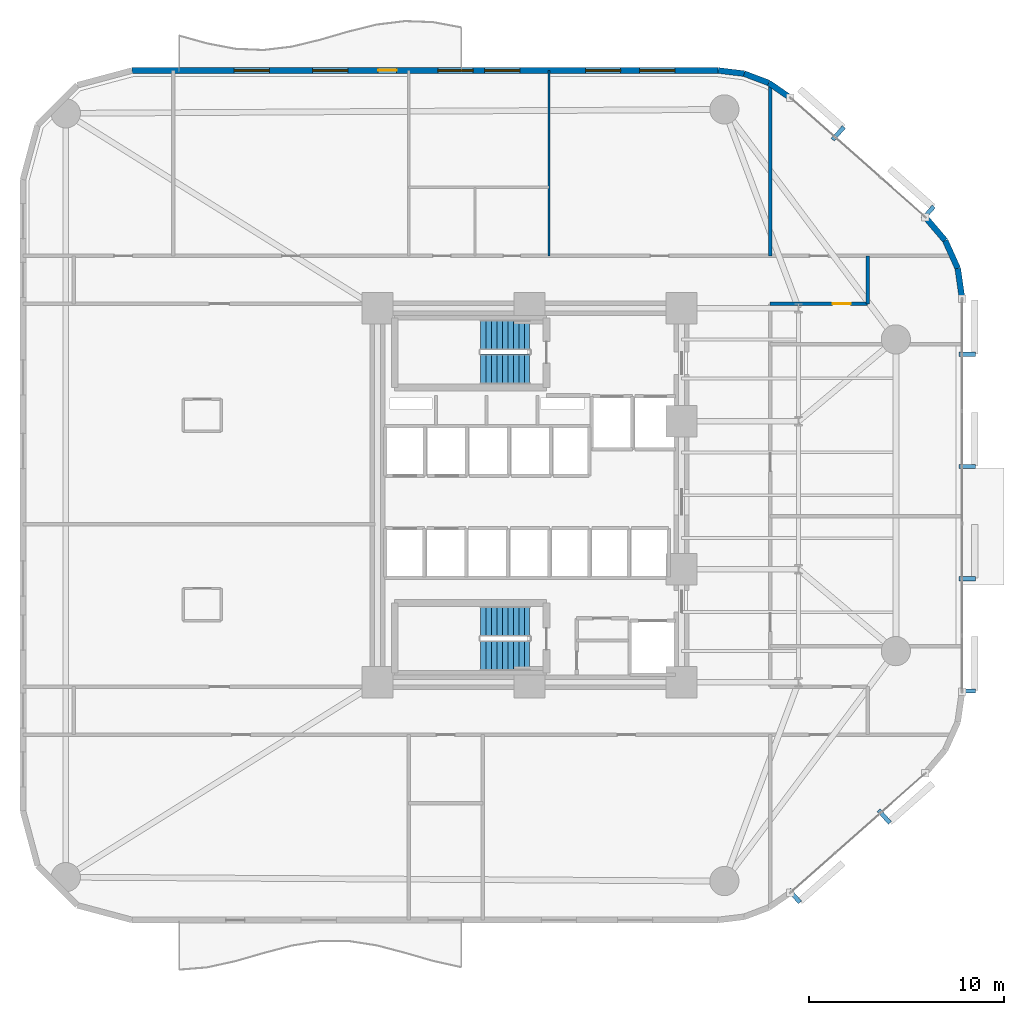
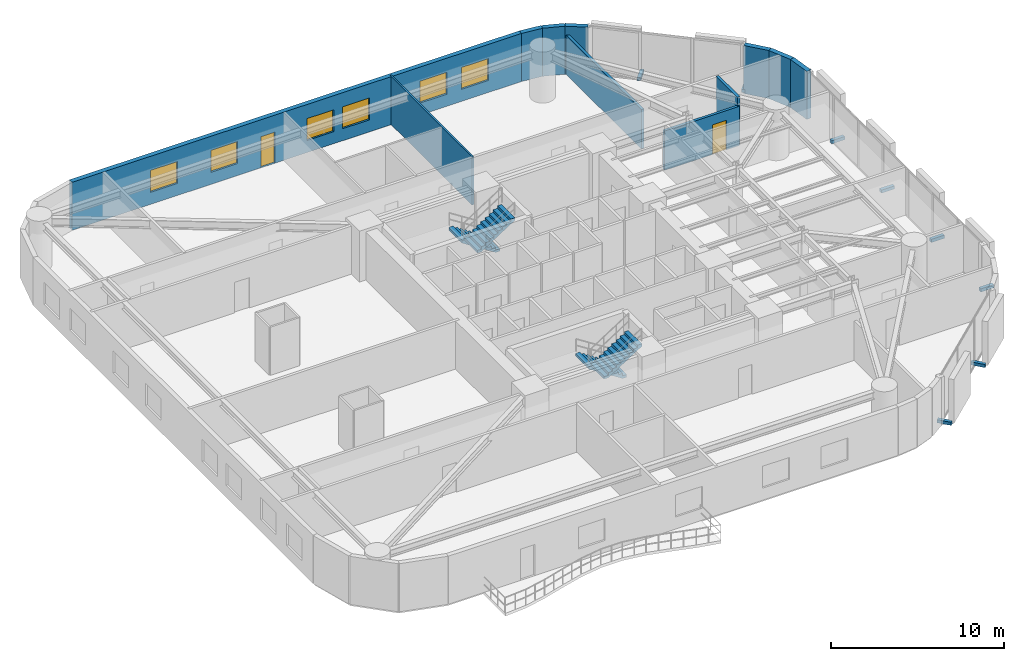
# One storey, part 13 of 16: 11 walls, 8 discrete accessories, 6 windows, 4 stair flights, 2 doors, 8 openings, 2 elements without a shape of their own.
"""IFC4 building model written with IfcOpenShell, lengths in metres."""

from ifc_helpers import new_model, si_unit, direction, frame, frame_2d, origin, origin_2d, place, context, subcontext, project, spatial, polyline, rectangle, outline, extrude, material, layer, layer_set, type_object, element, fill, aggregate, save


model = new_model("IFC4")

# Units and contexts
model_context = context("Model", 3, precision=1e-05, world=origin(), true_north=direction((0.0, 1.0)))
body_context = subcontext(model_context, "Body", "Model", "MODEL_VIEW")
ifc_project = project(units=[si_unit("LENGTHUNIT", "METRE"), si_unit("AREAUNIT", "SQUARE_METRE"), si_unit("VOLUMEUNIT", "CUBIC_METRE"), si_unit("PLANEANGLEUNIT", "RADIAN"), si_unit("MASSUNIT", "GRAM", prefix="KILO")], contexts=[model_context])

# Site, building, storey
site_placement = place(None, origin())
site = spatial("IfcSite", under=ifc_project, at=site_placement, CompositionType="ELEMENT")
building_placement = place(site_placement, origin())
building = spatial("IfcBuilding", under=site, at=building_placement, Name="An Khanh Terracotta Commons", CompositionType="ELEMENT")
storey_placement = place(building_placement, frame((0.0, 0.0, 39.60009765625)))
storey = spatial("IfcBuildingStorey", under=building, at=storey_placement, Name="L10", CompositionType="ELEMENT", Elevation=39.60009765625)

# Wall, opening, door
ifc_material_1 = material(Name="Fire-Rated Gypsum Board on Steel Stud", Category="steel")
ifc_layer_1 = layer(ifc_material_1, 0.179931640625, Name="Fire-Rated Gypsum Board on Steel Stud")
ifc_layer_set_1 = layer_set([ifc_layer_1], Name="Fire-Rated Gypsum Board on Steel Stud")
wall_type_1 = type_object("IfcWallType", Name="WALL-CORR-180", PredefinedType="PARTITIONING", material=ifc_layer_set_1)
wall_1_placement = place(storey_placement, frame((41.75, 33.820068359375, 0.0), z_axis=(0.0, 0.0, 1.0), x_axis=(1.0, 0.0, 0.0)))
wall_1 = element("IfcWall", 1, at=wall_1_placement, inside=storey, type_object=wall_type_1, Name="L10 Interior Partition IW-L10-E010", PredefinedType="PARTITIONING", context=body_context, shape_type="SweptSolid", body=[
    extrude(rectangle(XDim=5.0, YDim=0.179931640625, at=frame_2d((2.5, 0.0))), origin(), (0.0, 0.0, 1.0), 2.781982421875),
])
opening_1_placement = place(wall_1_placement, frame((3.208984375, 0.0, 0.0)))
opening_1 = element("IfcOpeningElement", 2, at=opening_1_placement, cuts=wall_1, Name="Opening D-RM", PredefinedType="OPENING", context=body_context, shape_type="SweptSolid", body=[
    extrude(rectangle(XDim=0.919921875, YDim=2.10009765625, at=frame_2d((0.4599609375, 1.050048828125))), frame((0.0, 0.099853515625, 0.0), z_axis=(0.0, -1.0, 0.0), x_axis=(1.0, 0.0, 0.0)), (0.0, 0.0, 1.0), 0.199951171875),
])
ifc_material_2 = material(Name="Engineered Hardwood Timber Leaf", Category="wood")
door_type_1 = type_object("IfcDoorType", Name="DOOR-INT-920", OperationType="NOTDEFINED", PredefinedType="DOOR", material=ifc_material_2)
door_1_placement = place(opening_1_placement, origin())
door_1 = element("IfcDoor", 3, at=door_1_placement, inside=storey, type_object=door_type_1, Name="L10 FAN4 Co-Living Private Bedroom Door", OperationType="SINGLE_SWING_RIGHT", OverallHeight=2.10009765625, OverallWidth=0.919921875, PredefinedType="DOOR", context=body_context, shape_type="SweptSolid", body=[
    extrude(rectangle(XDim=0.919921875, YDim=2.10009765625, at=frame_2d((0.4599609375, 1.050048828125))), frame((0.0, 0.02490234375, 0.0), z_axis=(0.0, -1.0, 0.0), x_axis=(1.0, 0.0, 0.0)), (0.0, 0.0, 1.0), 0.050048828125),
])
fill(opening_1, door_1)

# Walls
wall_2_placement = place(storey_placement, frame((41.75, 36.280029296875, 0.0), z_axis=(0.0, 0.0, 1.0), x_axis=(0.0, 1.0, 0.0)))
element("IfcWall", 4, at=wall_2_placement, inside=storey, type_object=wall_type_1, Name="L10 Interior Partition IW-L10-E023", PredefinedType="PARTITIONING", context=body_context, shape_type="SweptSolid", body=[
    extrude(rectangle(XDim=8.8310546875, YDim=0.179931640625, at=frame_2d((4.41552734375, 0.0))), origin(), (0.0, 0.0, 1.0), 2.781982421875),
])
wall_3_placement = place(storey_placement, frame((46.75, 33.820068359375, 0.0), z_axis=(0.0, 0.0, 1.0), x_axis=(0.0, 1.0, 0.0)))
element("IfcWall", 5, at=wall_3_placement, inside=storey, type_object=wall_type_1, Name="L10 Interior Partition IW-L10-E025", PredefinedType="PARTITIONING", context=body_context, shape_type="SweptSolid", body=[
    extrude(rectangle(XDim=2.4599609375, YDim=0.179931640625, at=frame_2d((1.22998046875, 0.0))), origin(), (0.0, 0.0, 1.0), 3.39990234375),
])
ifc_material_3 = material(Name="Precast concrete C40/50", Category="concrete")
ifc_layer_2 = layer(ifc_material_3, 0.300048828125, Name="Precast concrete C40/50")
ifc_layer_set_2 = layer_set([ifc_layer_2], Name="Precast concrete C40/50")
wall_type_2 = type_object("IfcWallType", Name="WALL-EXT-300", PredefinedType="SOLIDWALL", material=ifc_layer_set_2)
wall_4_placement = place(storey_placement, frame((51.60009765625, 34.076904296875, 0.0), z_axis=(0.0, 0.0, 1.0), x_axis=(-0.140380048512, 0.990097693149, 0.0)))
element("IfcWall", 6, at=wall_4_placement, inside=storey, type_object=wall_type_2, Name="L10 Insulated Terracotta Exterior Wall 13", PredefinedType="SOLIDWALL", context=body_context, shape_type="SweptSolid", body=[
    extrude(rectangle(XDim=1.57568359375, YDim=0.300048828125, at=frame_2d((0.787841796875, 0.0))), origin(), (0.0, 0.0, 1.0), 3.39990234375),
])
wall_5_placement = place(storey_placement, frame((51.37890625, 35.636962890625, 0.0), z_axis=(0.0, 0.0, 1.0), x_axis=(-0.410996558744, 0.911636895206, 0.0)))
element("IfcWall", 7, at=wall_5_placement, inside=storey, type_object=wall_type_2, Name="L10 Insulated Terracotta Exterior Wall 14", PredefinedType="SOLIDWALL", context=body_context, shape_type="SweptSolid", body=[
    extrude(rectangle(XDim=1.57421875, YDim=0.300048828125, at=frame_2d((0.787109375, 0.0))), origin(), (0.0, 0.0, 1.0), 3.39990234375),
])
wall_6_placement = place(storey_placement, frame((50.73193359375, 37.072021484375, 0.0), z_axis=(0.0, 0.0, 1.0), x_axis=(-0.648389989909, 0.7613083613, 0.0)))
element("IfcWall", 8, at=wall_6_placement, inside=storey, type_object=wall_type_2, Name="L10 Insulated Terracotta Exterior Wall 15", PredefinedType="SOLIDWALL", context=body_context, shape_type="SweptSolid", body=[
    extrude(rectangle(XDim=1.576171875, YDim=0.300048828125, at=frame_2d((0.7880859375, 0.0))), origin(), (0.0, 0.0, 1.0), 3.39990234375),
])
wall_7_placement = place(storey_placement, frame((42.7890625, 44.39404296875, 0.0), z_axis=(0.0, 0.0, 1.0), x_axis=(-0.823116500192, 0.567872544777, 0.0)))
element("IfcWall", 9, at=wall_7_placement, inside=storey, type_object=wall_type_2, Name="L10 Insulated Terracotta Exterior Wall 17", PredefinedType="SOLIDWALL", context=body_context, shape_type="SweptSolid", body=[
    extrude(rectangle(XDim=1.3486328125, YDim=0.300048828125, at=frame_2d((0.67431640625, 0.0))), origin(), (0.0, 0.0, 1.0), 3.39990234375),
])
wall_8_placement = place(storey_placement, frame((41.678955078125, 45.159912109375, 0.0), z_axis=(0.0, 0.0, 1.0), x_axis=(-0.935156721165, 0.354234254216, 0.0)))
element("IfcWall", 10, at=wall_8_placement, inside=storey, type_object=wall_type_2, Name="L10 Insulated Terracotta Exterior Wall 18", PredefinedType="SOLIDWALL", context=body_context, shape_type="SweptSolid", body=[
    extrude(rectangle(XDim=1.349365234375, YDim=0.300048828125, at=frame_2d((0.6748046875, 0.0))), origin(), (0.0, 0.0, 1.0), 3.39990234375),
])
wall_9_placement = place(storey_placement, frame((40.4169921875, 45.637939453125, 0.0), z_axis=(0.0, 0.0, 1.0), x_axis=(-0.992739027259, 0.120288086515, 0.0)))
element("IfcWall", 11, at=wall_9_placement, inside=storey, type_object=wall_type_2, Name="L10 Insulated Terracotta Exterior Wall 19", PredefinedType="SOLIDWALL", context=body_context, shape_type="SweptSolid", body=[
    extrude(rectangle(XDim=1.34765625, YDim=0.300048828125, at=frame_2d((0.673828125, 0.0))), origin(), (0.0, 0.0, 1.0), 3.39990234375),
])

# Wall, openings, door, windows
wall_10_placement = place(storey_placement, frame((39.0791015625, 45.800048828125, 0.0), z_axis=(0.0, 0.0, 1.0), x_axis=(-1.0, 0.0, 0.0)))
wall_10 = element("IfcWall", 12, at=wall_10_placement, inside=storey, type_object=wall_type_2, Name="L10 Insulated Terracotta Exterior Wall 20", PredefinedType="SOLIDWALL", context=body_context, shape_type="SweptSolid", body=[
    extrude(rectangle(XDim=30.0791015625, YDim=0.300048828125, at=frame_2d((15.03955078125, 0.0))), origin(), (0.0, 0.0, 1.0), 3.39990234375),
])
opening_2_placement = place(wall_10_placement, frame((16.50390625, 0.0, 0.0)))
opening_2 = element("IfcOpeningElement", 13, at=opening_2_placement, cuts=wall_10, Name="Opening D-BAL", PredefinedType="OPENING", context=body_context, shape_type="SweptSolid", body=[
    extrude(rectangle(XDim=0.949951171875, YDim=2.199951171875, at=frame_2d((0.47509765625, 1.10009765625))), frame((0.0, 0.159912109375, 0.0), z_axis=(0.0, -1.0, 0.0), x_axis=(1.0, 0.0, 0.0)), (0.0, 0.0, 1.0), 0.320068359375),
])
opening_3_placement = place(wall_10_placement, frame((2.22607421875, 0.0, 0.85009765625)))
opening_3 = element("IfcOpeningElement", 14, at=opening_3_placement, cuts=wall_10, Name="Opening W-01", PredefinedType="OPENING", context=body_context, shape_type="SweptSolid", body=[
    extrude(rectangle(XDim=1.800048828125, YDim=1.550048828125, at=frame_2d((0.89990234375, 0.77490234375))), frame((0.0, 0.159912109375, 0.0), z_axis=(0.0, -1.0, 0.0), x_axis=(1.0, 0.0, 0.0)), (0.0, 0.0, 1.0), 0.320068359375),
])
opening_4_placement = place(wall_10_placement, frame((5.0029296875, 0.0, 0.85009765625)))
opening_4 = element("IfcOpeningElement", 15, at=opening_4_placement, cuts=wall_10, Name="Opening W-01", PredefinedType="OPENING", context=body_context, shape_type="SweptSolid", body=[
    extrude(rectangle(XDim=1.800048828125, YDim=1.550048828125, at=frame_2d((0.89990234375, 0.77490234375))), frame((0.0, 0.159912109375, 0.0), z_axis=(0.0, -1.0, 0.0), x_axis=(1.0, 0.0, 0.0)), (0.0, 0.0, 1.0), 0.320068359375),
])
opening_5_placement = place(wall_10_placement, frame((10.178955078125, 0.0, 0.85009765625)))
opening_5 = element("IfcOpeningElement", 16, at=opening_5_placement, cuts=wall_10, Name="Opening W-01", PredefinedType="OPENING", context=body_context, shape_type="SweptSolid", body=[
    extrude(rectangle(XDim=1.800048828125, YDim=1.550048828125, at=frame_2d((0.89990234375, 0.77490234375))), frame((0.0, 0.159912109375, 0.0), z_axis=(0.0, -1.0, 0.0), x_axis=(1.0, 0.0, 0.0)), (0.0, 0.0, 1.0), 0.320068359375),
])
opening_6_placement = place(wall_10_placement, frame((12.5791015625, 0.0, 0.85009765625)))
opening_6 = element("IfcOpeningElement", 17, at=opening_6_placement, cuts=wall_10, Name="Opening W-01", PredefinedType="OPENING", context=body_context, shape_type="SweptSolid", body=[
    extrude(rectangle(XDim=1.800048828125, YDim=1.550048828125, at=frame_2d((0.89990234375, 0.77490234375))), frame((0.0, 0.159912109375, 0.0), z_axis=(0.0, -1.0, 0.0), x_axis=(1.0, 0.0, 0.0)), (0.0, 0.0, 1.0), 0.320068359375),
])
opening_7_placement = place(wall_10_placement, frame((19.007080078125, 0.0, 0.85009765625)))
opening_7 = element("IfcOpeningElement", 18, at=opening_7_placement, cuts=wall_10, Name="Opening W-01", PredefinedType="OPENING", context=body_context, shape_type="SweptSolid", body=[
    extrude(rectangle(XDim=1.800048828125, YDim=1.550048828125, at=frame_2d((0.89990234375, 0.77490234375))), frame((0.0, 0.159912109375, 0.0), z_axis=(0.0, -1.0, 0.0), x_axis=(1.0, 0.0, 0.0)), (0.0, 0.0, 1.0), 0.320068359375),
])
opening_8_placement = place(wall_10_placement, frame((23.033935546875, 0.0, 0.85009765625)))
opening_8 = element("IfcOpeningElement", 19, at=opening_8_placement, cuts=wall_10, Name="Opening W-01", PredefinedType="OPENING", context=body_context, shape_type="SweptSolid", body=[
    extrude(rectangle(XDim=1.800048828125, YDim=1.550048828125, at=frame_2d((0.89990234375, 0.77490234375))), frame((0.0, 0.159912109375, 0.0), z_axis=(0.0, -1.0, 0.0), x_axis=(1.0, 0.0, 0.0)), (0.0, 0.0, 1.0), 0.320068359375),
])
ifc_material_4 = material(Name="Thermally Broken Aluminium and Low-E Glass", Category="aluminium")
door_type_2 = type_object("IfcDoorType", Name="DOOR-BALC-950", OperationType="NOTDEFINED", PredefinedType="DOOR", material=ifc_material_4)
door_2_placement = place(opening_2_placement, origin())
door_2 = element("IfcDoor", 20, at=door_2_placement, inside=storey, type_object=door_type_2, Name="L10 N Wave Balcony Glazed Door", OperationType="SINGLE_SWING_RIGHT", OverallHeight=2.199951171875, OverallWidth=0.949951171875, PredefinedType="DOOR", context=body_context, shape_type="SweptSolid", body=[
    extrude(rectangle(XDim=0.949951171875, YDim=2.199951171875, at=frame_2d((0.47509765625, 1.10009765625))), frame((0.0, 0.02490234375, 0.0), z_axis=(0.0, -1.0, 0.0), x_axis=(1.0, 0.0, 0.0)), (0.0, 0.0, 1.0), 0.050048828125),
])
fill(opening_2, door_2)
window_type = type_object("IfcWindowType", Name="WIN-Z1-1800x1550", PartitioningType="DOUBLE_PANEL_VERTICAL", PredefinedType="WINDOW", material=ifc_material_4)
window_1_placement = place(opening_3_placement, origin())
window_1 = element("IfcWindow", 21, at=window_1_placement, inside=storey, type_object=window_type, Name="L10 Operable Casement Window 20.1", OverallHeight=1.550048828125, OverallWidth=1.800048828125, PartitioningType="DOUBLE_PANEL_VERTICAL", PredefinedType="WINDOW", context=body_context, shape_type="SweptSolid", body=[
    extrude(rectangle(XDim=1.800048828125, YDim=1.550048828125, at=frame_2d((0.89990234375, 0.77490234375))), frame((0.0, 0.030029296875, 0.0), z_axis=(0.0, -1.0, 0.0), x_axis=(1.0, 0.0, 0.0)), (0.0, 0.0, 1.0), 0.06005859375),
])
fill(opening_3, window_1)
window_2_placement = place(opening_4_placement, origin())
window_2 = element("IfcWindow", 22, at=window_2_placement, inside=storey, type_object=window_type, Name="L10 Operable Casement Window 20.2", OverallHeight=1.550048828125, OverallWidth=1.800048828125, PartitioningType="DOUBLE_PANEL_VERTICAL", PredefinedType="WINDOW", context=body_context, shape_type="SweptSolid", body=[
    extrude(rectangle(XDim=1.800048828125, YDim=1.550048828125, at=frame_2d((0.89990234375, 0.77490234375))), frame((0.0, 0.030029296875, 0.0), z_axis=(0.0, -1.0, 0.0), x_axis=(1.0, 0.0, 0.0)), (0.0, 0.0, 1.0), 0.06005859375),
])
fill(opening_4, window_2)
window_3_placement = place(opening_5_placement, origin())
window_3 = element("IfcWindow", 23, at=window_3_placement, inside=storey, type_object=window_type, Name="L10 Operable Casement Window 20.3", OverallHeight=1.550048828125, OverallWidth=1.800048828125, PartitioningType="DOUBLE_PANEL_VERTICAL", PredefinedType="WINDOW", context=body_context, shape_type="SweptSolid", body=[
    extrude(rectangle(XDim=1.800048828125, YDim=1.550048828125, at=frame_2d((0.89990234375, 0.77490234375))), frame((0.0, 0.030029296875, 0.0), z_axis=(0.0, -1.0, 0.0), x_axis=(1.0, 0.0, 0.0)), (0.0, 0.0, 1.0), 0.06005859375),
])
fill(opening_5, window_3)
window_4_placement = place(opening_6_placement, origin())
window_4 = element("IfcWindow", 24, at=window_4_placement, inside=storey, type_object=window_type, Name="L10 Operable Casement Window 20.4", OverallHeight=1.550048828125, OverallWidth=1.800048828125, PartitioningType="DOUBLE_PANEL_VERTICAL", PredefinedType="WINDOW", context=body_context, shape_type="SweptSolid", body=[
    extrude(rectangle(XDim=1.800048828125, YDim=1.550048828125, at=frame_2d((0.89990234375, 0.77490234375))), frame((0.0, 0.030029296875, 0.0), z_axis=(0.0, -1.0, 0.0), x_axis=(1.0, 0.0, 0.0)), (0.0, 0.0, 1.0), 0.06005859375),
])
fill(opening_6, window_4)
window_5_placement = place(opening_7_placement, origin())
window_5 = element("IfcWindow", 25, at=window_5_placement, inside=storey, type_object=window_type, Name="L10 Operable Casement Window 20.5", OverallHeight=1.550048828125, OverallWidth=1.800048828125, PartitioningType="DOUBLE_PANEL_VERTICAL", PredefinedType="WINDOW", context=body_context, shape_type="SweptSolid", body=[
    extrude(rectangle(XDim=1.800048828125, YDim=1.550048828125, at=frame_2d((0.89990234375, 0.77490234375))), frame((0.0, 0.030029296875, 0.0), z_axis=(0.0, -1.0, 0.0), x_axis=(1.0, 0.0, 0.0)), (0.0, 0.0, 1.0), 0.06005859375),
])
fill(opening_7, window_5)
window_6_placement = place(opening_8_placement, origin())
window_6 = element("IfcWindow", 26, at=window_6_placement, inside=storey, type_object=window_type, Name="L10 Operable Casement Window 20.6", OverallHeight=1.550048828125, OverallWidth=1.800048828125, PartitioningType="DOUBLE_PANEL_VERTICAL", PredefinedType="WINDOW", context=body_context, shape_type="SweptSolid", body=[
    extrude(rectangle(XDim=1.800048828125, YDim=1.550048828125, at=frame_2d((0.89990234375, 0.77490234375))), frame((0.0, 0.030029296875, 0.0), z_axis=(0.0, -1.0, 0.0), x_axis=(1.0, 0.0, 0.0)), (0.0, 0.0, 1.0), 0.06005859375),
])
fill(opening_8, window_6)

# Wall
ifc_material_5 = material(Name="Moisture-Resistant Cement Board Partition")
ifc_layer_3 = layer(ifc_material_5, 0.1201171875, Name="Moisture-Resistant Cement Board Partition")
ifc_layer_set_3 = layer_set([ifc_layer_3], Name="Moisture-Resistant Cement Board Partition")
wall_type_3 = type_object("IfcWallType", Name="WALL-WET-120", PredefinedType="PARTITIONING", material=ifc_layer_set_3)
wall_11_placement = place(storey_placement, frame((30.39990234375, 36.280029296875, 0.0), z_axis=(0.0, 0.0, 1.0), x_axis=(0.0, 1.0, 0.0)))
element("IfcWall", 27, at=wall_11_placement, inside=storey, type_object=wall_type_3, Name="L10 Interior Partition IW-L10-E020", PredefinedType="PARTITIONING", context=body_context, shape_type="SweptSolid", body=[
    extrude(rectangle(XDim=9.52001953125, YDim=0.1201171875, at=frame_2d((4.760009765625, 0.0))), origin(), (0.0, 0.0, 1.0), 3.39990234375),
])

# Stair, stair flights
stair_type = type_object("IfcStairType", Name="STAIR-CORE-1550", PredefinedType="HALF_TURN_STAIR", material=ifc_material_3)
stair_1_placement = place(storey_placement, origin())
stair_1 = element("IfcStair", 28, at=stair_1_placement, inside=storey, type_object=stair_type, Name="L10 Core Smokeproof Exit Stair ST-01", PredefinedType="HALF_TURN_STAIR")
stair_flight_type = type_object("IfcStairFlightType", Name="FLIGHT-CORE-1550", PredefinedType="STRAIGHT", material=ifc_material_3)
stair_flight_1_placement = place(storey_placement, frame((29.409912109375, 32.22509765625, 0.0), z_axis=(0.0, 0.0, 1.0), x_axis=(-1.0, 0.0, 0.0)))
stair_flight_1 = element("IfcStairFlight", 29, at=stair_flight_1_placement, type_object=stair_flight_type, Name="ST-01 flight 1", NumberOfRisers=10, NumberOfTreads=9, PredefinedType="STRAIGHT", RiserHeight=0.18, TreadLength=0.28, context=body_context, shape_type="SweptSolid", body=[
    extrude(outline(polyline([(0.0, 0.0), (0.0, 0.179931640625), (0.280029296875, 0.179931640625), (0.280029296875, 0.360107421875), (0.56005859375, 0.360107421875), (0.56005859375, 0.5400390625), (0.840087890625, 0.5400390625), (0.840087890625, 0.719970703125), (1.1201171875, 0.719970703125), (1.1201171875, 0.89990234375), (1.39990234375, 0.89990234375), (1.39990234375, 1.080078125), (1.679931640625, 1.080078125), (1.679931640625, 1.260009765625), (1.9599609375, 1.260009765625), (1.9599609375, 1.43994140625), (2.239990234375, 1.43994140625), (2.239990234375, 1.6201171875), (2.52001953125, 1.6201171875), (2.52001953125, 1.800048828125), (2.52001953125, 1.44189453125), (0.277099609375, 0.0), (0.0, 0.0)])), frame((0.0, 0.77490234375, 0.0), z_axis=(0.0, -1.0, 0.0), x_axis=(1.0, 0.0, 0.0)), (0.0, 0.0, 1.0), 1.550048828125),
])
stair_flight_2_placement = place(storey_placement, frame((26.889892578125, 30.47509765625, 1.7998046875), z_axis=(0.0, 0.0, 1.0), x_axis=(1.0, 0.0, 0.0)))
stair_flight_2 = element("IfcStairFlight", 30, at=stair_flight_2_placement, type_object=stair_flight_type, Name="ST-01 flight 2", NumberOfRisers=10, NumberOfTreads=9, PredefinedType="STRAIGHT", RiserHeight=0.18, TreadLength=0.28, context=body_context, shape_type="SweptSolid", body=[
    extrude(outline(polyline([(0.0, 0.0), (0.0, 0.179931640625), (0.280029296875, 0.179931640625), (0.280029296875, 0.360107421875), (0.56005859375, 0.360107421875), (0.56005859375, 0.5400390625), (0.840087890625, 0.5400390625), (0.840087890625, 0.719970703125), (1.1201171875, 0.719970703125), (1.1201171875, 0.89990234375), (1.39990234375, 0.89990234375), (1.39990234375, 1.080078125), (1.679931640625, 1.080078125), (1.679931640625, 1.260009765625), (1.9599609375, 1.260009765625), (1.9599609375, 1.43994140625), (2.239990234375, 1.43994140625), (2.239990234375, 1.6201171875), (2.52001953125, 1.6201171875), (2.52001953125, 1.800048828125), (2.52001953125, 1.44189453125), (0.277099609375, 0.0), (0.0, 0.0)])), frame((0.0, 0.77490234375, 0.0), z_axis=(0.0, -1.0, 0.0), x_axis=(1.0, 0.0, 0.0)), (0.0, 0.0, 1.0), 1.550048828125),
])
aggregate(stair_1, [stair_flight_1, stair_flight_2])

stair_2_placement = place(storey_placement, origin())
stair_2 = element("IfcStair", 31, at=stair_2_placement, inside=storey, type_object=stair_type, Name="L10 Core Smokeproof Exit Stair ST-02", PredefinedType="HALF_TURN_STAIR")
stair_flight_3_placement = place(storey_placement, frame((29.409912109375, 17.52490234375, 0.0), z_axis=(0.0, 0.0, 1.0), x_axis=(-1.0, 0.0, 0.0)))
stair_flight_3 = element("IfcStairFlight", 32, at=stair_flight_3_placement, type_object=stair_flight_type, Name="ST-02 flight 1", NumberOfRisers=10, NumberOfTreads=9, PredefinedType="STRAIGHT", RiserHeight=0.18, TreadLength=0.28, context=body_context, shape_type="SweptSolid", body=[
    extrude(outline(polyline([(0.0, 0.0), (0.0, 0.179931640625), (0.280029296875, 0.179931640625), (0.280029296875, 0.360107421875), (0.56005859375, 0.360107421875), (0.56005859375, 0.5400390625), (0.840087890625, 0.5400390625), (0.840087890625, 0.719970703125), (1.1201171875, 0.719970703125), (1.1201171875, 0.89990234375), (1.39990234375, 0.89990234375), (1.39990234375, 1.080078125), (1.679931640625, 1.080078125), (1.679931640625, 1.260009765625), (1.9599609375, 1.260009765625), (1.9599609375, 1.43994140625), (2.239990234375, 1.43994140625), (2.239990234375, 1.6201171875), (2.52001953125, 1.6201171875), (2.52001953125, 1.800048828125), (2.52001953125, 1.44189453125), (0.277099609375, 0.0), (0.0, 0.0)])), frame((0.0, 0.77490234375, 0.0), z_axis=(0.0, -1.0, 0.0), x_axis=(1.0, 0.0, 0.0)), (0.0, 0.0, 1.0), 1.550048828125),
])
stair_flight_4_placement = place(storey_placement, frame((26.889892578125, 15.77490234375, 1.7998046875), z_axis=(0.0, 0.0, 1.0), x_axis=(1.0, 0.0, 0.0)))
stair_flight_4 = element("IfcStairFlight", 33, at=stair_flight_4_placement, type_object=stair_flight_type, Name="ST-02 flight 2", NumberOfRisers=10, NumberOfTreads=9, PredefinedType="STRAIGHT", RiserHeight=0.18, TreadLength=0.28, context=body_context, shape_type="SweptSolid", body=[
    extrude(outline(polyline([(0.0, 0.0), (0.0, 0.179931640625), (0.280029296875, 0.179931640625), (0.280029296875, 0.360107421875), (0.56005859375, 0.360107421875), (0.56005859375, 0.5400390625), (0.840087890625, 0.5400390625), (0.840087890625, 0.719970703125), (1.1201171875, 0.719970703125), (1.1201171875, 0.89990234375), (1.39990234375, 0.89990234375), (1.39990234375, 1.080078125), (1.679931640625, 1.080078125), (1.679931640625, 1.260009765625), (1.9599609375, 1.260009765625), (1.9599609375, 1.43994140625), (2.239990234375, 1.43994140625), (2.239990234375, 1.6201171875), (2.52001953125, 1.6201171875), (2.52001953125, 1.800048828125), (2.52001953125, 1.44189453125), (0.277099609375, 0.0), (0.0, 0.0)])), frame((0.0, 0.77490234375, 0.0), z_axis=(0.0, -1.0, 0.0), x_axis=(1.0, 0.0, 0.0)), (0.0, 0.0, 1.0), 1.550048828125),
])
aggregate(stair_2, [stair_flight_3, stair_flight_4])

# Discrete accessories
ifc_material_6 = material(Name="Stainless Steel Grade 316L", Category="steel")
discrete_accessory_type = type_object("IfcDiscreteAccessoryType", Name="Stainless Outrigger Facade Bracket", PredefinedType="BRACKET", material=ifc_material_6)
for number, where, z_axis, x_axis, name in (
    (34, (42.990966796875, 3.430908203125, 0.06982421875), (0.0, 0.0, 1.0), (0.749019284633, 0.662548195415, 0.0), "L10 Terracotta Screen Outrigger Bracket 1"),
    (35, (47.60498046875, 7.511962890625, 0.06982421875), (0.0, 0.0, 1.0), (0.749019284633, 0.662548195415, 0.0), "L10 Terracotta Screen Outrigger Bracket 3"),
    (36, (51.864990234375, 13.9580078125, 0.06982421875), (0.0, 0.0, 1.0), (0.0, 1.0, 0.0), "L10 Terracotta Screen Outrigger Bracket 1"),
    (37, (51.864990234375, 19.716064453125, 0.06982421875), (0.0, 0.0, 1.0), (0.0, 1.0, 0.0), "L10 Terracotta Screen Outrigger Bracket 3"),
    (38, (51.864990234375, 25.47509765625, 0.06982421875), (0.0, 0.0, 1.0), (0.0, 1.0, 0.0), "L10 Terracotta Screen Outrigger Bracket 5"),
    (39, (51.864990234375, 31.23291015625, 0.06982421875), (0.0, 0.0, 1.0), (0.0, 1.0, 0.0), "L10 Terracotta Screen Outrigger Bracket 7"),
    (40, (49.85888671875, 38.493896484375, 0.06982421875), (0.0, 0.0, 1.0), (-0.749019284633, 0.662548195415, 0.0), "L10 Terracotta Screen Outrigger Bracket 1"),
    (41, (45.2451171875, 42.574951171875, 0.06982421875), (0.0, 0.0, 1.0), (-0.749019284633, 0.662548195415, 0.0), "L10 Terracotta Screen Outrigger Bracket 3"),
):
    element("IfcDiscreteAccessory", number, at=place(storey_placement, frame(where, z_axis=z_axis, x_axis=x_axis)), inside=storey, type_object=discrete_accessory_type, Name=name, PredefinedType="BRACKET", context=body_context, shape_type="SweptSolid", body=[
        extrude(rectangle(XDim=0.219970703125, YDim=0.8701171875, at=origin_2d()), origin(), (0.0, 0.0, 1.0), 0.219970703125),
    ])

save(model, "model.ifc")
